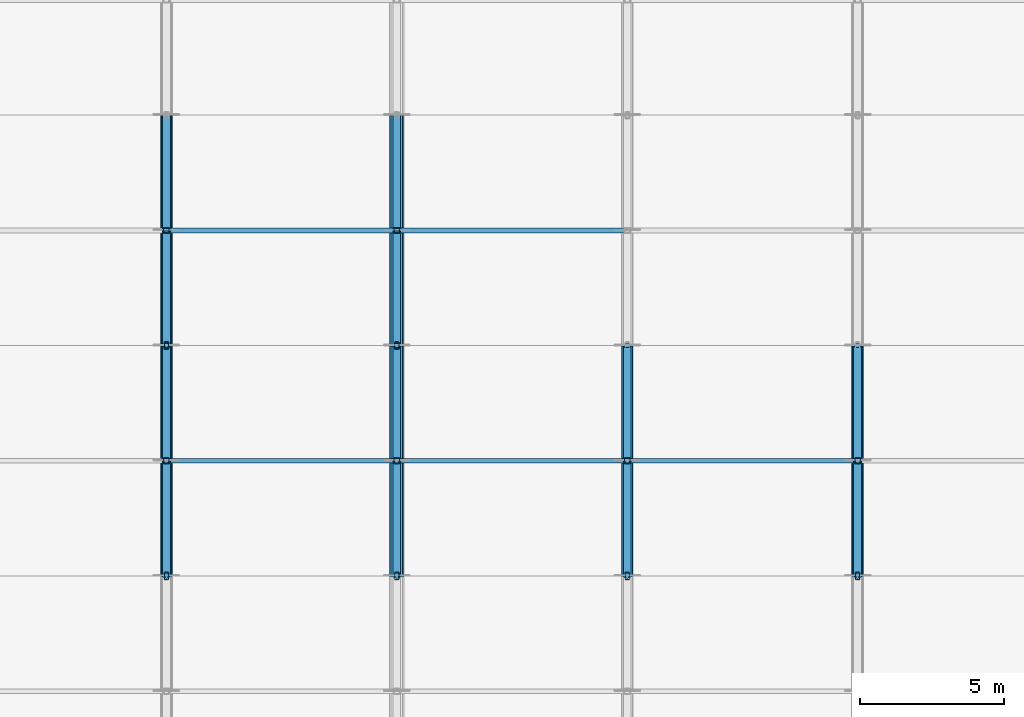
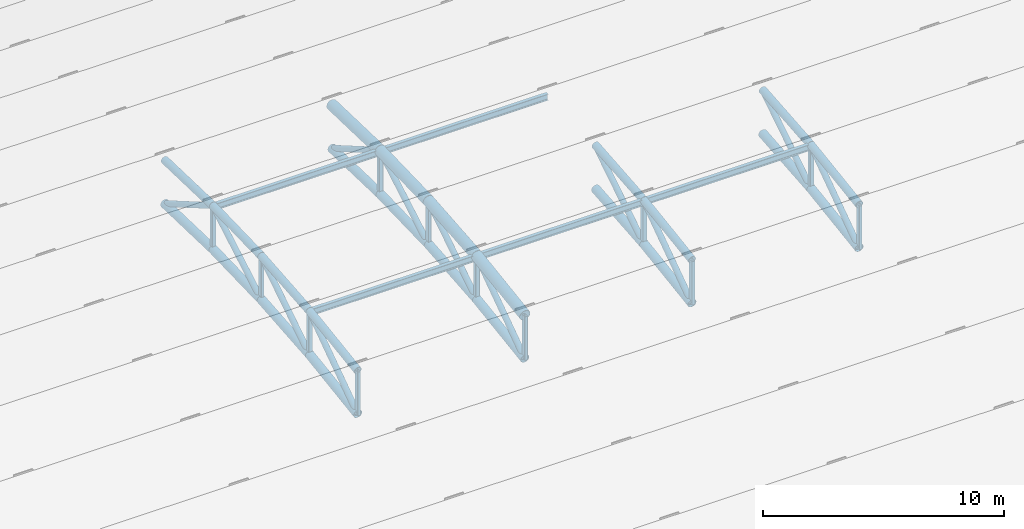
# One storey, part 25 of 98: 53 members.
"""IFC4 building model written with IfcOpenShell, lengths in metres."""

import ifcopenshell
import ifcopenshell.guid

model = None  # the IFC model being written
_history = None  # IfcOwnerHistory: only IFC2X3 demands one
_inside = {}  # id of a spatial element -> (the spatial element, [elements in it])
_under = {}  # id of a project, library or spatial element -> (it, [spatial elements below it])
_declared = {}  # id of a project -> (the project, [libraries it declares])
_typed = {}  # id of a type object -> (the type object, [elements of that type])
_made_of = {}  # id of a material, layer set ... -> (it, [elements and type objects made of it])


def new_model(schema):
    """Start an empty IFC model of exactly this schema.

    Asked for "IFC4X3", IfcOpenShell would pick the latest addendum, in which some entities
    have other attributes; the version numbers below select the first issue.
    IFC2X3 requires an IfcOwnerHistory on every rooted entity: one is made here for all.
    """
    global model, _history
    if schema == "IFC4X3":
        model = ifcopenshell.file(schema_version=(4, 3, 0, 0))
    else:
        model = ifcopenshell.file(schema=schema)
    _inside.clear()
    _under.clear()
    _declared.clear()
    _typed.clear()
    _made_of.clear()
    _history = None
    if model.schema == "IFC2X3":
        org = make("IfcOrganization", Name="unknown")
        user = make(
            "IfcPersonAndOrganization",
            ThePerson=make("IfcPerson", FamilyName="unknown"),
            TheOrganization=org,
        )
        app = make(
            "IfcApplication",
            ApplicationDeveloper=org,
            Version="unknown",
            ApplicationFullName="unknown",
            ApplicationIdentifier="unknown",
        )
        _history = make(
            "IfcOwnerHistory",
            OwningUser=user,
            OwningApplication=app,
            ChangeAction="ADDED",
            CreationDate=0,
        )
    return model


def make(cls, **values):
    """One entity of the class cls with the attributes given. An attribute that is None is left unset."""
    return model.create_entity(
        cls, **{name: value for name, value in values.items() if value is not None}
    )


def rooted(cls, **values):
    """An entity with a GlobalId (a new one), such as an element, a storey or a relation."""
    return make(cls, GlobalId=ifcopenshell.guid.new(), OwnerHistory=_history, **values)


def si_unit(unit_type, name, prefix=None):
    """IfcSIUnit, for example si_unit("LENGTHUNIT", "METRE", prefix="MILLI")."""
    return make("IfcSIUnit", UnitType=unit_type, Prefix=prefix, Name=name)


def assignment(units):
    """IfcUnitAssignment: the units of a project."""
    return None if units is None else make("IfcUnitAssignment", Units=units)


def point(xyz):
    """IfcCartesianPoint."""
    return None if xyz is None else make("IfcCartesianPoint", Coordinates=xyz)


def direction(xyz):
    """IfcDirection."""
    return None if xyz is None else make("IfcDirection", DirectionRatios=xyz)


def frame(location, z_axis=None, x_axis=None):
    """IfcAxis2Placement3D, a coordinate frame: its origin and axes. An axis left out is left unset."""
    return make(
        "IfcAxis2Placement3D",
        Location=point(location),
        Axis=direction(z_axis),
        RefDirection=direction(x_axis),
    )


def frame_2d(location, x_axis=None):
    """IfcAxis2Placement2D, a coordinate frame in the plane: its origin and x axis."""
    return make(
        "IfcAxis2Placement2D", Location=point(location), RefDirection=direction(x_axis)
    )


def origin():
    """The frame at (0, 0, 0) with its axes left unset."""
    return frame((0.0, 0.0, 0.0))


def origin_2d():
    """The frame at (0, 0) in the plane with its x axis left unset."""
    return frame_2d((0.0, 0.0))


def place(relative_to, where):
    """IfcLocalPlacement: puts the frame where relative to a parent placement (None: the world)."""
    return make(
        "IfcLocalPlacement", PlacementRelTo=relative_to, RelativePlacement=where
    )


def context(
    kind, dimensions, precision=None, world=None, true_north=None, identifier=None
):
    """IfcGeometricRepresentationContext, for example the 3D "Model" context."""
    return make(
        "IfcGeometricRepresentationContext",
        ContextIdentifier=identifier,
        ContextType=kind,
        CoordinateSpaceDimension=dimensions,
        Precision=precision,
        WorldCoordinateSystem=world,
        TrueNorth=true_north,
    )


def subcontext(parent, identifier, kind, view, scale=None):
    """IfcGeometricRepresentationSubContext, for example "Body" below "Model"."""
    return make(
        "IfcGeometricRepresentationSubContext",
        ContextIdentifier=identifier,
        ContextType=kind,
        ParentContext=parent,
        TargetScale=scale,
        TargetView=view,
    )


def project(units=None, contexts=None):
    """IfcProject with its units and contexts."""
    return rooted(
        "IfcProject",
        Name="project",
        RepresentationContexts=contexts,
        UnitsInContext=assignment(units),
    )


def spatial(cls, under=None, at=None, **own):
    """A site, building, storey or space (cls), placed at a placement, below another one or the project."""
    s = rooted(cls, ObjectPlacement=at, **own)
    if under is not None:
        _under.setdefault(under.id(), (under, []))[1].append(s)
    return s


def profile(cls, at=None, kind="AREA", **sizes):
    """A parametric profile (cls). Its sizes go by their IFC names, for example OverallWidth=200.0."""
    return make(cls, ProfileType=kind, Position=at, **sizes)


def hollow_rectangle(**sizes):
    """IfcRectangleHollowProfileDef."""
    return profile("IfcRectangleHollowProfileDef", **sizes)


def hollow_circle(**sizes):
    """IfcCircleHollowProfileDef."""
    return profile("IfcCircleHollowProfileDef", **sizes)


def i_section(**sizes):
    """IfcIShapeProfileDef."""
    return profile("IfcIShapeProfileDef", **sizes)


def extrude(swept, where, along, depth):
    """IfcExtrudedAreaSolid: the profile swept, set in the frame where, extruded along a direction by depth."""
    return make(
        "IfcExtrudedAreaSolid",
        SweptArea=swept,
        Position=where,
        ExtrudedDirection=direction(along),
        Depth=depth,
    )


def shape(context_of_items, identifier, shape_type, items):
    """IfcShapeRepresentation: the items that make up one representation, for example the "Body"."""
    return make(
        "IfcShapeRepresentation",
        ContextOfItems=context_of_items,
        RepresentationIdentifier=identifier,
        RepresentationType=shape_type,
        Items=items,
    )


def material(Name=None, Category=None):
    """IfcMaterial."""
    return make("IfcMaterial", Name=Name, Category=Category)


def material_profile(
    of_material, cross_section, Name=None, Category=None, Priority=None
):
    """IfcMaterialProfile: a cross section and its material."""
    return make(
        "IfcMaterialProfile",
        Name=Name,
        Material=of_material,
        Profile=cross_section,
        Priority=Priority,
        Category=Category,
    )


def profile_set(profiles, Name=None, composite=None):
    """IfcMaterialProfileSet."""
    return make(
        "IfcMaterialProfileSet",
        Name=Name,
        MaterialProfiles=profiles,
        CompositeProfile=composite,
    )


def made_of(thing, what):
    """Note that an element or type object is made of a material, layer set ...; save() writes the relation."""
    if what is not None:
        _made_of.setdefault(what.id(), (what, []))[1].append(thing)
    return thing


def type_object(cls, material=None, **own):
    """A type object (cls), such as IfcWallType, which elements share."""
    return made_of(rooted(cls, **own), material)


def element(
    cls,
    number,
    at=None,
    inside=None,
    cuts=None,
    type_object=None,
    material=None,
    context=None,
    identifier="Body",
    shape_type=None,
    held_by="IfcProductDefinitionShape",
    body=None,
    shapes=None,
    **own,
):
    """One element of the class cls, such as IfcWall. Its Tag is "e" and its number.

    at: its placement. inside: the storey or other place that contains it. cuts: it is an
    opening in that element (IfcRelVoidsElement). A single representation is given by context,
    identifier, shape_type and body (its items); several are given by shapes. held_by: the class
    of the entity that holds the representations. save() writes the other relations.
    """
    e = rooted(cls, Tag="e%d" % number, ObjectPlacement=at, **own)
    if body is not None:
        shapes = [shape(context, identifier, shape_type, body)]
    if shapes is not None:
        e.Representation = make(held_by, Representations=shapes)
    if inside is not None:
        _inside.setdefault(inside.id(), (inside, []))[1].append(e)
    if cuts is not None:
        rooted(
            "IfcRelVoidsElement", RelatingBuildingElement=cuts, RelatedOpeningElement=e
        )
    if type_object is not None:
        _typed.setdefault(type_object.id(), (type_object, []))[1].append(e)
    return made_of(e, material)


def aggregate(whole, parts):
    """IfcRelAggregates: a whole, such as a stair, and the parts it consists of."""
    return rooted("IfcRelAggregates", RelatingObject=whole, RelatedObjects=parts)


def save(model, path):
    """Write the relations noted so far, then the file.

    IfcRelAggregates (storeys below a building ...), IfcRelContainedInSpatialStructure (elements
    in a storey), IfcRelDefinesByType, IfcRelAssociatesMaterial and IfcRelDeclares: one each for
    every whole, place, type object, material and project.
    """
    for whole, parts in _under.values():
        aggregate(whole, parts)
    for where, things in _inside.values():
        rooted(
            "IfcRelContainedInSpatialStructure",
            RelatedElements=things,
            RelatingStructure=where,
        )
    for kind, things in _typed.values():
        rooted("IfcRelDefinesByType", RelatedObjects=things, RelatingType=kind)
    for what, things in _made_of.values():
        rooted("IfcRelAssociatesMaterial", RelatedObjects=things, RelatingMaterial=what)
    for by, libraries in _declared.values():
        rooted("IfcRelDeclares", RelatingContext=by, RelatedDefinitions=libraries)
    model.write(path)


model = new_model("IFC4")

# Units and contexts
model_context = context("Model", 3, precision=1e-05, world=origin(), true_north=direction((0.0, 1.0)))
body_context = subcontext(model_context, "Body", "Model", "MODEL_VIEW")
ifc_project = project(units=[si_unit("LENGTHUNIT", "METRE"), si_unit("AREAUNIT", "SQUARE_METRE"), si_unit("VOLUMEUNIT", "CUBIC_METRE"), si_unit("PLANEANGLEUNIT", "RADIAN"), si_unit("MASSUNIT", "GRAM", prefix="KILO")], contexts=[model_context])

# Site, building, storey
site_placement = place(None, origin())
site = spatial("IfcSite", under=ifc_project, at=site_placement, CompositionType="ELEMENT")
building_placement = place(site_placement, origin())
building = spatial("IfcBuilding", under=site, at=building_placement, Name="Tlacozan Convention Centre", CompositionType="ELEMENT")
storey_placement = place(building_placement, frame((0.0, 0.0, 25.800048828125)))
storey = spatial("IfcBuildingStorey", under=building, at=storey_placement, Name="Roof", CompositionType="ELEMENT", Elevation=25.800048828125)

# Members
ifc_material_1 = material(Name="Steel ASTM A500 Grade C", Category="steel")
ifc_material_profile_1 = material_profile(ifc_material_1, hollow_circle(Radius=0.203125, WallThickness=0.015869140625, at=origin_2d()), Name="OC 406.4x15.9")
ifc_profile_set_1 = profile_set([ifc_material_profile_1], Name="Steel ASTM A500 Grade C")
member_type_1 = type_object("IfcMemberType", Name="Arch Bottom Chord OC 406.4x15.9", PredefinedType="CHORD", material=ifc_profile_set_1)
member_1_placement = place(storey_placement, frame((64.0, 82.0, -5.8671875), z_axis=(0.0, 0.98911804631, 0.147124064872), x_axis=(-1.0, 0.0, 0.0)))
element("IfcMember", 1, at=member_1_placement, inside=storey, type_object=member_type_1, Name="V2A Roof Truss 9 Bottom Chord 6", PredefinedType="CHORD", context=body_context, shape_type="SweptSolid", body=[
    extrude(hollow_circle(Radius=0.203125, WallThickness=0.015869140625, at=origin_2d()), origin(), (0.0, 0.0, 1.0), 4.0439453125),
])
member_2_placement = place(storey_placement, frame((64.0, 86.0, -5.272216796875), z_axis=(0.0, 0.996095959668, 0.088277058926), x_axis=(-1.0, 0.0, 0.0)))
element("IfcMember", 2, at=member_2_placement, inside=storey, type_object=member_type_1, Name="V2A Roof Truss 9 Bottom Chord 7", PredefinedType="CHORD", context=body_context, shape_type="SweptSolid", body=[
    extrude(hollow_circle(Radius=0.203125, WallThickness=0.015869140625, at=origin_2d()), origin(), (0.0, 0.0, 1.0), 4.015625),
])
for number, where, z_axis, x_axis, name in (
    (3, (64.0, 90.0, -4.917724609375), (0.0, 0.999567543518, 0.029406222899), (-1.0, 0.0, 0.0), "V2A Roof Truss 9 Bottom Chord 8"),
    (4, (64.0, 94.0, -4.800048828125), (0.0, 0.999567543518, -0.029406222899), (-1.0, 0.0, 0.0), "V2A Roof Truss 9 Bottom Chord 9"),
):
    element("IfcMember", number, at=place(storey_placement, frame(where, z_axis=z_axis, x_axis=x_axis)), inside=storey, type_object=member_type_1, Name=name, PredefinedType="CHORD", context=body_context, shape_type="SweptSolid", body=[
        extrude(hollow_circle(Radius=0.203125, WallThickness=0.015869140625, at=origin_2d()), origin(), (0.0, 0.0, 1.0), 4.001708984375),
    ])
member_3_placement = place(storey_placement, frame((72.0, 82.0, -5.8671875), z_axis=(0.0, 0.98911804631, 0.147124064872), x_axis=(-1.0, 0.0, 0.0)))
element("IfcMember", 5, at=member_3_placement, inside=storey, type_object=member_type_1, Name="V2A Roof Truss 10 Bottom Chord 6", PredefinedType="CHORD", context=body_context, shape_type="SweptSolid", body=[
    extrude(hollow_circle(Radius=0.203125, WallThickness=0.015869140625, at=origin_2d()), origin(), (0.0, 0.0, 1.0), 4.0439453125),
])
member_4_placement = place(storey_placement, frame((72.0, 86.0, -5.272216796875), z_axis=(0.0, 0.996095959668, 0.088277058926), x_axis=(-1.0, 0.0, 0.0)))
element("IfcMember", 6, at=member_4_placement, inside=storey, type_object=member_type_1, Name="V2A Roof Truss 10 Bottom Chord 7", PredefinedType="CHORD", context=body_context, shape_type="SweptSolid", body=[
    extrude(hollow_circle(Radius=0.203125, WallThickness=0.015869140625, at=origin_2d()), origin(), (0.0, 0.0, 1.0), 4.015625),
])
for number, where, z_axis, x_axis, name in (
    (7, (72.0, 90.0, -4.917724609375), (0.0, 0.999567543518, 0.029406222899), (-1.0, 0.0, 0.0), "V2A Roof Truss 10 Bottom Chord 8"),
    (8, (72.0, 94.0, -4.800048828125), (0.0, 0.999567543518, -0.029406222899), (-1.0, 0.0, 0.0), "V2A Roof Truss 10 Bottom Chord 9"),
):
    element("IfcMember", number, at=place(storey_placement, frame(where, z_axis=z_axis, x_axis=x_axis)), inside=storey, type_object=member_type_1, Name=name, PredefinedType="CHORD", context=body_context, shape_type="SweptSolid", body=[
        extrude(hollow_circle(Radius=0.203125, WallThickness=0.015869140625, at=origin_2d()), origin(), (0.0, 0.0, 1.0), 4.001708984375),
    ])
member_5_placement = place(storey_placement, frame((80.0, 82.0, -5.8671875), z_axis=(0.0, 0.98911804631, 0.147124064872), x_axis=(-1.0, 0.0, 0.0)))
element("IfcMember", 9, at=member_5_placement, inside=storey, type_object=member_type_1, Name="V2A Roof Truss 11 Bottom Chord 6", PredefinedType="CHORD", context=body_context, shape_type="SweptSolid", body=[
    extrude(hollow_circle(Radius=0.203125, WallThickness=0.015869140625, at=origin_2d()), origin(), (0.0, 0.0, 1.0), 4.0439453125),
])
member_6_placement = place(storey_placement, frame((80.0, 86.0, -5.272216796875), z_axis=(0.0, 0.996095959668, 0.088277058926), x_axis=(-1.0, 0.0, 0.0)))
element("IfcMember", 10, at=member_6_placement, inside=storey, type_object=member_type_1, Name="V2A Roof Truss 11 Bottom Chord 7", PredefinedType="CHORD", context=body_context, shape_type="SweptSolid", body=[
    extrude(hollow_circle(Radius=0.203125, WallThickness=0.015869140625, at=origin_2d()), origin(), (0.0, 0.0, 1.0), 4.015625),
])
member_7_placement = place(storey_placement, frame((88.0, 82.0, -5.8671875), z_axis=(0.0, 0.98911804631, 0.147124064872), x_axis=(-1.0, 0.0, 0.0)))
element("IfcMember", 11, at=member_7_placement, inside=storey, type_object=member_type_1, Name="V2A Roof Truss 12 Bottom Chord 6", PredefinedType="CHORD", context=body_context, shape_type="SweptSolid", body=[
    extrude(hollow_circle(Radius=0.203125, WallThickness=0.015869140625, at=origin_2d()), origin(), (0.0, 0.0, 1.0), 4.0439453125),
])
member_8_placement = place(storey_placement, frame((88.0, 86.0, -5.272216796875), z_axis=(0.0, 0.996095959668, 0.088277058926), x_axis=(-1.0, 0.0, 0.0)))
element("IfcMember", 12, at=member_8_placement, inside=storey, type_object=member_type_1, Name="V2A Roof Truss 12 Bottom Chord 7", PredefinedType="CHORD", context=body_context, shape_type="SweptSolid", body=[
    extrude(hollow_circle(Radius=0.203125, WallThickness=0.015869140625, at=origin_2d()), origin(), (0.0, 0.0, 1.0), 4.015625),
])
ifc_material_profile_2 = material_profile(ifc_material_1, hollow_circle(Radius=0.25390625, WallThickness=0.01904296875, at=origin_2d()), Name="OC 508.0x19.1")
ifc_profile_set_2 = profile_set([ifc_material_profile_2], Name="Steel ASTM A500 Grade C")
member_type_2 = type_object("IfcMemberType", Name="Arch Top Chord OC 508x19.1", PredefinedType="CHORD", material=ifc_profile_set_2)
member_9_placement = place(storey_placement, frame((72.0, 82.0, -3.667236328125), z_axis=(0.0, 0.98911804631, 0.147124064872), x_axis=(-1.0, 0.0, 0.0)))
element("IfcMember", 13, at=member_9_placement, inside=storey, type_object=member_type_2, Name="V2A Roof Truss 10 Top Chord 6", PredefinedType="CHORD", context=body_context, shape_type="SweptSolid", body=[
    extrude(hollow_circle(Radius=0.25390625, WallThickness=0.01904296875, at=origin_2d()), origin(), (0.0, 0.0, 1.0), 4.0439453125),
])
member_10_placement = place(storey_placement, frame((72.0, 86.0, -3.072265625), z_axis=(0.0, 0.996095959668, 0.088277058926), x_axis=(-1.0, 0.0, 0.0)))
element("IfcMember", 14, at=member_10_placement, inside=storey, type_object=member_type_2, Name="V2A Roof Truss 10 Top Chord 7", PredefinedType="CHORD", context=body_context, shape_type="SweptSolid", body=[
    extrude(hollow_circle(Radius=0.25390625, WallThickness=0.01904296875, at=origin_2d()), origin(), (0.0, 0.0, 1.0), 4.015625),
])
for number, where, z_axis, x_axis, name in (
    (15, (72.0, 90.0, -2.7177734375), (0.0, 0.999567543518, 0.029406222899), (-1.0, 0.0, 0.0), "V2A Roof Truss 10 Top Chord 8"),
    (16, (72.0, 94.0, -2.60009765625), (0.0, 0.999567543518, -0.029406222899), (-1.0, 0.0, 0.0), "V2A Roof Truss 10 Top Chord 9"),
):
    element("IfcMember", number, at=place(storey_placement, frame(where, z_axis=z_axis, x_axis=x_axis)), inside=storey, type_object=member_type_2, Name=name, PredefinedType="CHORD", context=body_context, shape_type="SweptSolid", body=[
        extrude(hollow_circle(Radius=0.25390625, WallThickness=0.01904296875, at=origin_2d()), origin(), (0.0, 0.0, 1.0), 4.001708984375),
    ])
ifc_material_profile_3 = material_profile(ifc_material_1, hollow_circle(Radius=0.136474609375, WallThickness=0.0126953125, at=origin_2d()), Name="OC 273.1x12.7")
ifc_profile_set_3 = profile_set([ifc_material_profile_3], Name="Steel ASTM A500 Grade C")
member_type_3 = type_object("IfcMemberType", Name="Arch Web Diagonal OC 273.1x12.7", PredefinedType="BRACE", material=ifc_profile_set_3)
member_11_placement = place(storey_placement, frame((64.0, 82.0, -5.8671875), z_axis=(0.0, 0.819720523855, 0.572763705877), x_axis=(-1.0, 0.0, 0.0)))
element("IfcMember", 17, at=member_11_placement, inside=storey, type_object=member_type_3, Name="V2A Roof Truss 9 Web Diagonal 6", PredefinedType="BRACE", context=body_context, shape_type="SweptSolid", body=[
    extrude(hollow_circle(Radius=0.136474609375, WallThickness=0.0126953125, at=origin_2d()), origin(), (0.0, 0.0, 1.0), 4.879638671875),
])
member_12_placement = place(storey_placement, frame((64.0, 86.0, -5.272216796875), z_axis=(0.0, 0.842802563321, 0.538222852785), x_axis=(-1.0, 0.0, 0.0)))
element("IfcMember", 18, at=member_12_placement, inside=storey, type_object=member_type_3, Name="V2A Roof Truss 9 Web Diagonal 7", PredefinedType="BRACE", context=body_context, shape_type="SweptSolid", body=[
    extrude(hollow_circle(Radius=0.136474609375, WallThickness=0.0126953125, at=origin_2d()), origin(), (0.0, 0.0, 1.0), 4.74609375),
])
for number, where, z_axis, x_axis, name in (
    (19, (64.0, 90.0, -4.917724609375), (0.0, 0.865253886656, 0.501333932252), (-1.0, 0.0, 0.0), "V2A Roof Truss 9 Web Diagonal 8"),
    (20, (64.0, 94.0, -2.60009765625), (0.0, 0.865253886656, -0.501333932252), (-1.0, 0.0, 0.0), "V2A Roof Truss 9 Web Diagonal 9"),
):
    element("IfcMember", number, at=place(storey_placement, frame(where, z_axis=z_axis, x_axis=x_axis)), inside=storey, type_object=member_type_3, Name=name, PredefinedType="BRACE", context=body_context, shape_type="SweptSolid", body=[
        extrude(hollow_circle(Radius=0.136474609375, WallThickness=0.0126953125, at=origin_2d()), origin(), (0.0, 0.0, 1.0), 4.622802734375),
    ])
member_13_placement = place(storey_placement, frame((72.0, 82.0, -5.8671875), z_axis=(0.0, 0.819720523855, 0.572763705877), x_axis=(-1.0, 0.0, 0.0)))
element("IfcMember", 21, at=member_13_placement, inside=storey, type_object=member_type_3, Name="V2A Roof Truss 10 Web Diagonal 6", PredefinedType="BRACE", context=body_context, shape_type="SweptSolid", body=[
    extrude(hollow_circle(Radius=0.136474609375, WallThickness=0.0126953125, at=origin_2d()), origin(), (0.0, 0.0, 1.0), 4.879638671875),
])
member_14_placement = place(storey_placement, frame((72.0, 86.0, -5.272216796875), z_axis=(0.0, 0.842802563321, 0.538222852785), x_axis=(-1.0, 0.0, 0.0)))
element("IfcMember", 22, at=member_14_placement, inside=storey, type_object=member_type_3, Name="V2A Roof Truss 10 Web Diagonal 7", PredefinedType="BRACE", context=body_context, shape_type="SweptSolid", body=[
    extrude(hollow_circle(Radius=0.136474609375, WallThickness=0.0126953125, at=origin_2d()), origin(), (0.0, 0.0, 1.0), 4.74609375),
])
for number, where, z_axis, x_axis, name in (
    (23, (72.0, 90.0, -4.917724609375), (0.0, 0.865253886656, 0.501333932252), (-1.0, 0.0, 0.0), "V2A Roof Truss 10 Web Diagonal 8"),
    (24, (72.0, 94.0, -2.60009765625), (0.0, 0.865253886656, -0.501333932252), (-1.0, 0.0, 0.0), "V2A Roof Truss 10 Web Diagonal 9"),
):
    element("IfcMember", number, at=place(storey_placement, frame(where, z_axis=z_axis, x_axis=x_axis)), inside=storey, type_object=member_type_3, Name=name, PredefinedType="BRACE", context=body_context, shape_type="SweptSolid", body=[
        extrude(hollow_circle(Radius=0.136474609375, WallThickness=0.0126953125, at=origin_2d()), origin(), (0.0, 0.0, 1.0), 4.622802734375),
    ])
member_15_placement = place(storey_placement, frame((80.0, 82.0, -5.8671875), z_axis=(0.0, 0.819720523855, 0.572763705877), x_axis=(-1.0, 0.0, 0.0)))
element("IfcMember", 25, at=member_15_placement, inside=storey, type_object=member_type_3, Name="V2A Roof Truss 11 Web Diagonal 6", PredefinedType="BRACE", context=body_context, shape_type="SweptSolid", body=[
    extrude(hollow_circle(Radius=0.136474609375, WallThickness=0.0126953125, at=origin_2d()), origin(), (0.0, 0.0, 1.0), 4.879638671875),
])
member_16_placement = place(storey_placement, frame((80.0, 86.0, -5.272216796875), z_axis=(0.0, 0.842802563321, 0.538222852785), x_axis=(-1.0, 0.0, 0.0)))
element("IfcMember", 26, at=member_16_placement, inside=storey, type_object=member_type_3, Name="V2A Roof Truss 11 Web Diagonal 7", PredefinedType="BRACE", context=body_context, shape_type="SweptSolid", body=[
    extrude(hollow_circle(Radius=0.136474609375, WallThickness=0.0126953125, at=origin_2d()), origin(), (0.0, 0.0, 1.0), 4.74609375),
])
member_17_placement = place(storey_placement, frame((88.0, 82.0, -5.8671875), z_axis=(0.0, 0.819720523855, 0.572763705877), x_axis=(-1.0, 0.0, 0.0)))
element("IfcMember", 27, at=member_17_placement, inside=storey, type_object=member_type_3, Name="V2A Roof Truss 12 Web Diagonal 6", PredefinedType="BRACE", context=body_context, shape_type="SweptSolid", body=[
    extrude(hollow_circle(Radius=0.136474609375, WallThickness=0.0126953125, at=origin_2d()), origin(), (0.0, 0.0, 1.0), 4.879638671875),
])
member_18_placement = place(storey_placement, frame((88.0, 86.0, -5.272216796875), z_axis=(0.0, 0.842802563321, 0.538222852785), x_axis=(-1.0, 0.0, 0.0)))
element("IfcMember", 28, at=member_18_placement, inside=storey, type_object=member_type_3, Name="V2A Roof Truss 12 Web Diagonal 7", PredefinedType="BRACE", context=body_context, shape_type="SweptSolid", body=[
    extrude(hollow_circle(Radius=0.136474609375, WallThickness=0.0126953125, at=origin_2d()), origin(), (0.0, 0.0, 1.0), 4.74609375),
])
ifc_material_profile_4 = material_profile(ifc_material_1, hollow_rectangle(XDim=0.203125, YDim=0.203125, WallThickness=0.0126953125, InnerFilletRadius=0.0126953125, OuterFilletRadius=0.02490234375, at=origin_2d()), Name="OR 203x203x12.7")
ifc_profile_set_4 = profile_set([ifc_material_profile_4], Name="Steel ASTM A500 Grade C")
member_type_4 = type_object("IfcMemberType", Name="Arch Web Strut OR 203x203x12.7", PredefinedType="STRUT", material=ifc_profile_set_4)
for number, where, z_axis, x_axis, name in (
    (29, (64.0, 86.0, -5.272216796875), (0.0, 0.0, 1.0), (1.0, 0.0, 0.0), "V2A Roof Truss 9 Vertical Strut 7"),
    (30, (64.0, 94.0, -4.800048828125), (0.0, 0.0, 1.0), (1.0, 0.0, 0.0), "V2A Roof Truss 9 Vertical Strut 9"),
    (31, (72.0, 86.0, -5.272216796875), (0.0, 0.0, 1.0), (1.0, 0.0, 0.0), "V2A Roof Truss 10 Vertical Strut 7"),
    (32, (72.0, 94.0, -4.800048828125), (0.0, 0.0, 1.0), (1.0, 0.0, 0.0), "V2A Roof Truss 10 Vertical Strut 9"),
    (33, (80.0, 86.0, -5.272216796875), (0.0, 0.0, 1.0), (1.0, 0.0, 0.0), "V2A Roof Truss 11 Vertical Strut 7"),
    (34, (88.0, 86.0, -5.272216796875), (0.0, 0.0, 1.0), (1.0, 0.0, 0.0), "V2A Roof Truss 12 Vertical Strut 7"),
):
    element("IfcMember", number, at=place(storey_placement, frame(where, z_axis=z_axis, x_axis=x_axis)), inside=storey, type_object=member_type_4, Name=name, PredefinedType="STRUT", context=body_context, shape_type="SweptSolid", body=[
        extrude(hollow_rectangle(XDim=0.203125, YDim=0.203125, WallThickness=0.0126953125, InnerFilletRadius=0.0126953125, OuterFilletRadius=0.02490234375, at=origin_2d()), origin(), (0.0, 0.0, 1.0), 2.199951171875),
    ])
ifc_material_2 = material(Name="Steel ASTM A992 Grade 50", Category="steel")
ifc_material_profile_5 = material_profile(ifc_material_2, i_section(OverallWidth=0.1669921875, OverallDepth=0.31689453125, WebThickness=0.007568359375, FlangeThickness=0.01318359375, FilletRadius=0.010009765625, at=origin_2d()), Name="IR 305x52.2")
ifc_profile_set_5 = profile_set([ifc_material_profile_5], Name="Steel ASTM A992 Grade 50")
member_type_5 = type_object("IfcMemberType", Name="Roof Purlin IR 305x52.2", PredefinedType="PURLIN", material=ifc_profile_set_5)
for number, where, z_axis, x_axis, name in (
    (35, (64.0, 86.0, -3.13720703125), (1.0, 0.0, 0.0), (0.0, 1.0, 0.0), "V2A Roof Truss Purlin 9.7"),
    (36, (64.0, 94.0, -2.6650390625), (1.0, 0.0, 0.0), (0.0, 1.0, 0.0), "V2A Roof Truss Purlin 9.9"),
    (37, (72.0, 86.0, -3.13720703125), (1.0, 0.0, 0.0), (0.0, 1.0, 0.0), "V2A Roof Truss Purlin 10.7"),
    (38, (72.0, 94.0, -2.6650390625), (1.0, 0.0, 0.0), (0.0, 1.0, 0.0), "V2A Roof Truss Purlin 10.9"),
    (39, (80.0, 86.0, -3.13720703125), (1.0, 0.0, 0.0), (0.0, 1.0, 0.0), "V2A Roof Truss Purlin 11.7"),
):
    element("IfcMember", number, at=place(storey_placement, frame(where, z_axis=z_axis, x_axis=x_axis)), inside=storey, type_object=member_type_5, Name=name, PredefinedType="PURLIN", context=body_context, shape_type="SweptSolid", body=[
        extrude(i_section(OverallWidth=0.1669921875, OverallDepth=0.31689453125, WebThickness=0.007568359375, FlangeThickness=0.01318359375, FilletRadius=0.010009765625, at=origin_2d()), origin(), (0.0, 0.0, 1.0), 8.0),
    ])
ifc_material_profile_6 = material_profile(ifc_material_1, hollow_circle(Radius=0.177734375, WallThickness=0.015869140625, at=origin_2d()), Name="OC 355.6x15.9")
ifc_profile_set_6 = profile_set([ifc_material_profile_6], Name="Steel ASTM A500 Grade C")
member_type_6 = type_object("IfcMemberType", Name="Secondary Arch Chord OC 355.6x15.9", PredefinedType="CHORD", material=ifc_profile_set_6)
member_19_placement = place(storey_placement, frame((64.0, 82.0, -3.667236328125), z_axis=(0.0, 0.98911804631, 0.147124064872), x_axis=(-1.0, 0.0, 0.0)))
element("IfcMember", 40, at=member_19_placement, inside=storey, type_object=member_type_6, Name="V2A Roof Truss 9 Top Chord 6", PredefinedType="CHORD", context=body_context, shape_type="SweptSolid", body=[
    extrude(hollow_circle(Radius=0.177734375, WallThickness=0.015869140625, at=origin_2d()), origin(), (0.0, 0.0, 1.0), 4.0439453125),
])
member_20_placement = place(storey_placement, frame((64.0, 86.0, -3.072265625), z_axis=(0.0, 0.996095959668, 0.088277058926), x_axis=(-1.0, 0.0, 0.0)))
element("IfcMember", 41, at=member_20_placement, inside=storey, type_object=member_type_6, Name="V2A Roof Truss 9 Top Chord 7", PredefinedType="CHORD", context=body_context, shape_type="SweptSolid", body=[
    extrude(hollow_circle(Radius=0.177734375, WallThickness=0.015869140625, at=origin_2d()), origin(), (0.0, 0.0, 1.0), 4.015625),
])
for number, where, z_axis, x_axis, name in (
    (42, (64.0, 90.0, -2.7177734375), (0.0, 0.999567543518, 0.029406222899), (-1.0, 0.0, 0.0), "V2A Roof Truss 9 Top Chord 8"),
    (43, (64.0, 94.0, -2.60009765625), (0.0, 0.999567543518, -0.029406222899), (-1.0, 0.0, 0.0), "V2A Roof Truss 9 Top Chord 9"),
):
    element("IfcMember", number, at=place(storey_placement, frame(where, z_axis=z_axis, x_axis=x_axis)), inside=storey, type_object=member_type_6, Name=name, PredefinedType="CHORD", context=body_context, shape_type="SweptSolid", body=[
        extrude(hollow_circle(Radius=0.177734375, WallThickness=0.015869140625, at=origin_2d()), origin(), (0.0, 0.0, 1.0), 4.001708984375),
    ])
member_21_placement = place(storey_placement, frame((80.0, 82.0, -3.667236328125), z_axis=(0.0, 0.98911804631, 0.147124064872), x_axis=(-1.0, 0.0, 0.0)))
element("IfcMember", 44, at=member_21_placement, inside=storey, type_object=member_type_6, Name="V2A Roof Truss 11 Top Chord 6", PredefinedType="CHORD", context=body_context, shape_type="SweptSolid", body=[
    extrude(hollow_circle(Radius=0.177734375, WallThickness=0.015869140625, at=origin_2d()), origin(), (0.0, 0.0, 1.0), 4.0439453125),
])
member_22_placement = place(storey_placement, frame((80.0, 86.0, -3.072265625), z_axis=(0.0, 0.996095959668, 0.088277058926), x_axis=(-1.0, 0.0, 0.0)))
element("IfcMember", 45, at=member_22_placement, inside=storey, type_object=member_type_6, Name="V2A Roof Truss 11 Top Chord 7", PredefinedType="CHORD", context=body_context, shape_type="SweptSolid", body=[
    extrude(hollow_circle(Radius=0.177734375, WallThickness=0.015869140625, at=origin_2d()), origin(), (0.0, 0.0, 1.0), 4.015625),
])
member_23_placement = place(storey_placement, frame((88.0, 82.0, -3.667236328125), z_axis=(0.0, 0.98911804631, 0.147124064872), x_axis=(-1.0, 0.0, 0.0)))
element("IfcMember", 46, at=member_23_placement, inside=storey, type_object=member_type_6, Name="V2A Roof Truss 12 Top Chord 6", PredefinedType="CHORD", context=body_context, shape_type="SweptSolid", body=[
    extrude(hollow_circle(Radius=0.177734375, WallThickness=0.015869140625, at=origin_2d()), origin(), (0.0, 0.0, 1.0), 4.0439453125),
])
member_24_placement = place(storey_placement, frame((88.0, 86.0, -3.072265625), z_axis=(0.0, 0.996095959668, 0.088277058926), x_axis=(-1.0, 0.0, 0.0)))
element("IfcMember", 47, at=member_24_placement, inside=storey, type_object=member_type_6, Name="V2A Roof Truss 12 Top Chord 7", PredefinedType="CHORD", context=body_context, shape_type="SweptSolid", body=[
    extrude(hollow_circle(Radius=0.177734375, WallThickness=0.015869140625, at=origin_2d()), origin(), (0.0, 0.0, 1.0), 4.015625),
])
ifc_material_profile_7 = material_profile(ifc_material_1, hollow_rectangle(XDim=0.15234375, YDim=0.25390625, WallThickness=0.0126953125, InnerFilletRadius=0.0126953125, OuterFilletRadius=0.02490234375, at=origin_2d()), Name="OR 254x152x12.7")
ifc_profile_set_7 = profile_set([ifc_material_profile_7], Name="Steel ASTM A500 Grade C")
member_type_7 = type_object("IfcMemberType", Name="Truss Secondary Strut OR 254x152x12.7", PredefinedType="STRUT", material=ifc_profile_set_7)
for number, where, z_axis, x_axis, name in (
    (48, (64.0, 82.0, -5.8671875), (0.0, 0.0, 1.0), (1.0, 0.0, 0.0), "V2A Roof Truss 9 Vertical Strut 6"),
    (49, (64.0, 90.0, -4.917724609375), (0.0, 0.0, 1.0), (1.0, 0.0, 0.0), "V2A Roof Truss 9 Vertical Strut 8"),
    (50, (72.0, 82.0, -5.8671875), (0.0, 0.0, 1.0), (1.0, 0.0, 0.0), "V2A Roof Truss 10 Vertical Strut 6"),
    (51, (72.0, 90.0, -4.917724609375), (0.0, 0.0, 1.0), (1.0, 0.0, 0.0), "V2A Roof Truss 10 Vertical Strut 8"),
    (52, (80.0, 82.0, -5.8671875), (0.0, 0.0, 1.0), (1.0, 0.0, 0.0), "V2A Roof Truss 11 Vertical Strut 6"),
    (53, (88.0, 82.0, -5.8671875), (0.0, 0.0, 1.0), (1.0, 0.0, 0.0), "V2A Roof Truss 12 Vertical Strut 6"),
):
    element("IfcMember", number, at=place(storey_placement, frame(where, z_axis=z_axis, x_axis=x_axis)), inside=storey, type_object=member_type_7, Name=name, PredefinedType="STRUT", context=body_context, shape_type="SweptSolid", body=[
        extrude(hollow_rectangle(XDim=0.15234375, YDim=0.25390625, WallThickness=0.0126953125, InnerFilletRadius=0.0126953125, OuterFilletRadius=0.02490234375, at=origin_2d()), origin(), (0.0, 0.0, 1.0), 2.199951171875),
    ])

save(model, "model.ifc")
